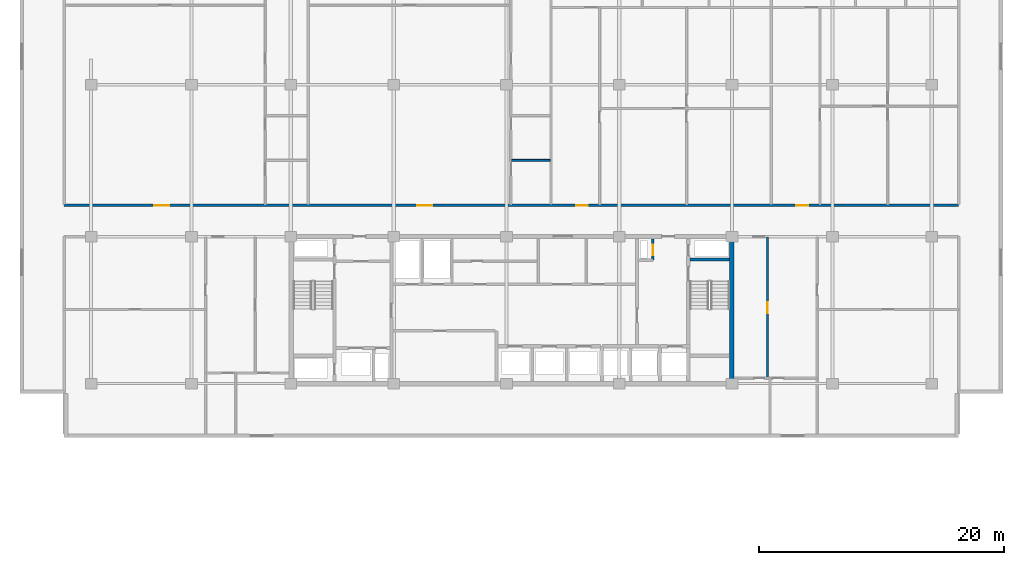
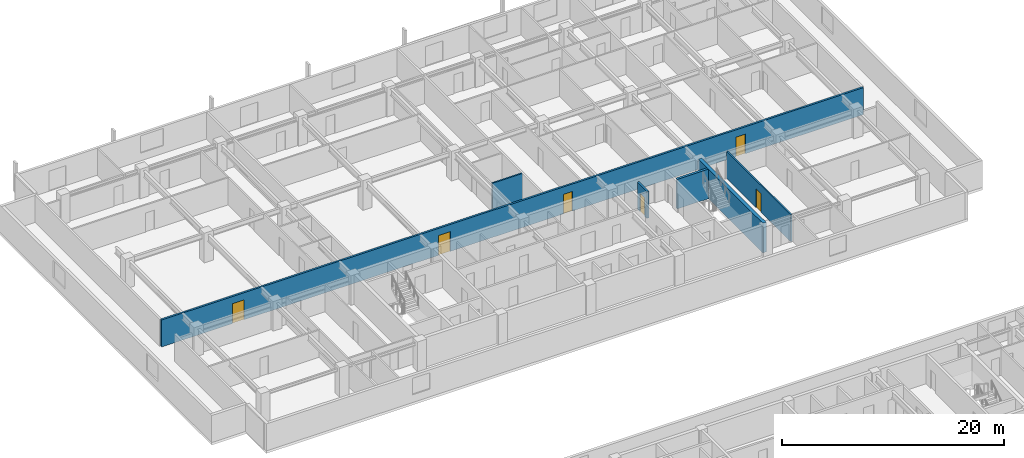
# One storey, part 12 of 21: 6 doors, 6 walls, 6 openings.
"""IFC4 building model written with IfcOpenShell, lengths in metres."""

from ifc_helpers import new_model, si_unit, direction, frame, frame_2d, origin, place, context, subcontext, project, spatial, rectangle, extrude, material, layer, layer_set, type_object, element, fill, save


model = new_model("IFC4")

# Units and contexts
model_context = context("Model", 3, precision=1e-05, world=origin(), true_north=direction((0.0, 1.0)))
body_context = subcontext(model_context, "Body", "Model", "MODEL_VIEW")
ifc_project = project(units=[si_unit("LENGTHUNIT", "METRE"), si_unit("AREAUNIT", "SQUARE_METRE"), si_unit("VOLUMEUNIT", "CUBIC_METRE"), si_unit("PLANEANGLEUNIT", "RADIAN"), si_unit("MASSUNIT", "GRAM", prefix="KILO")], contexts=[model_context])

# Site, building, storey
site_placement = place(None, origin())
site = spatial("IfcSite", under=ifc_project, at=site_placement, CompositionType="ELEMENT")
building_placement = place(site_placement, origin())
building = spatial("IfcBuilding", under=site, at=building_placement, Name="Korimba Cascade Residences", CompositionType="ELEMENT")
storey_placement = place(building_placement, frame((0.0, 0.0, 123.050048828125)))
storey = spatial("IfcBuildingStorey", under=building, at=storey_placement, Name="L35", CompositionType="ELEMENT", Elevation=123.050048828125)

# Wall
ifc_material_1 = material(Name="Concrete C65/80", Category="concrete")
ifc_layer_1 = layer(ifc_material_1, 0.35009765625)
ifc_layer_set_1 = layer_set([ifc_layer_1], Name="Concrete C65/80")
wall_type_1 = type_object("IfcWallType", Name="WAL-CORE-350", PredefinedType="SHEAR", material=ifc_layer_set_1)
wall_1_placement = place(storey_placement, frame((112.074951171875, 55.375, 0.0), z_axis=(0.0, 0.0, 1.0), x_axis=(0.0, 1.0, 0.0)))
element("IfcWall", 1, at=wall_1_placement, inside=storey, type_object=wall_type_1, Name="L35 Core Shear Wall CW-L35-T1-E", PredefinedType="SHEAR", context=body_context, shape_type="SweptSolid", body=[
    extrude(rectangle(XDim=11.64990234375, YDim=0.35009765625, at=frame_2d((5.824951171875, 0.0))), origin(), (0.0, 0.0, 1.0), 3.25),
])

# Wall, openings, doors
ifc_material_2 = material(Name="Precast concrete C40/50", Category="concrete")
ifc_layer_2 = layer(ifc_material_2, 0.199951171875)
ifc_layer_set_2 = layer_set([ifc_layer_2], Name="Precast concrete C40/50")
wall_type_2 = type_object("IfcWallType", Name="WAL-IT-200", PredefinedType="PARTITIONING", material=ifc_layer_set_2)
wall_2_placement = place(storey_placement, frame((57.60009765625, 69.75, 0.0), z_axis=(0.0, 0.0, 1.0), x_axis=(1.0, 0.0, 0.0)))
wall_2 = element("IfcWall", 2, at=wall_2_placement, inside=storey, type_object=wall_type_2, Name="L35 Partition Wall WAL-L35-T1-CORN", PredefinedType="PARTITIONING", context=body_context, shape_type="SweptSolid", body=[
    extrude(rectangle(XDim=73.0, YDim=0.199951171875, at=frame_2d((36.5, 0.0))), origin(), (0.0, 0.0, 1.0), 2.969970703125),
])
opening_1_placement = place(wall_2_placement, frame((7.36376953125, 0.0, 0.0)))
opening_1 = element("IfcOpeningElement", 3, at=opening_1_placement, cuts=wall_2, Name="Opening D-AM1", PredefinedType="OPENING", context=body_context, shape_type="SweptSolid", body=[
    extrude(rectangle(XDim=1.219970703125, YDim=2.179931640625, at=frame_2d((0.60986328125, 1.08984375))), frame((0.0, 0.10986328125, 0.0), z_axis=(0.0, -1.0, 0.0), x_axis=(1.0, 0.0, 0.0)), (0.0, 0.0, 1.0), 0.219970703125),
])
opening_2_placement = place(wall_2_placement, frame((28.81298828125, 0.0, 0.0)))
opening_2 = element("IfcOpeningElement", 4, at=opening_2_placement, cuts=wall_2, Name="Opening D-AM1", PredefinedType="OPENING", context=body_context, shape_type="SweptSolid", body=[
    extrude(rectangle(XDim=1.219970703125, YDim=2.179931640625, at=frame_2d((0.60986328125, 1.08984375))), frame((0.0, 0.10986328125, 0.0), z_axis=(0.0, -1.0, 0.0), x_axis=(1.0, 0.0, 0.0)), (0.0, 0.0, 1.0), 0.219970703125),
])
opening_3_placement = place(wall_2_placement, frame((41.776611328125, 0.0, 0.0)))
opening_3 = element("IfcOpeningElement", 5, at=opening_3_placement, cuts=wall_2, Name="Opening D-UN1", PredefinedType="OPENING", context=body_context, shape_type="SweptSolid", body=[
    extrude(rectangle(XDim=0.949951171875, YDim=2.14990234375, at=frame_2d((0.47509765625, 1.074951171875))), frame((0.0, 0.10986328125, 0.0), z_axis=(0.0, -1.0, 0.0), x_axis=(1.0, 0.0, 0.0)), (0.0, 0.0, 1.0), 0.219970703125),
])
opening_4_placement = place(wall_2_placement, frame((59.76611328125, 0.0, 0.0)))
opening_4 = element("IfcOpeningElement", 6, at=opening_4_placement, cuts=wall_2, Name="Opening D-UN1", PredefinedType="OPENING", context=body_context, shape_type="SweptSolid", body=[
    extrude(rectangle(XDim=0.949951171875, YDim=2.14990234375, at=frame_2d((0.47509765625, 1.074951171875))), frame((0.0, 0.10986328125, 0.0), z_axis=(0.0, -1.0, 0.0), x_axis=(1.0, 0.0, 0.0)), (0.0, 0.0, 1.0), 0.219970703125),
])
ifc_material_3 = material(Name="Fire-Rated Glazed Timber Suite Door", Category="wood")
door_type_1 = type_object("IfcDoorType", Name="DR-FD60-1200", OperationType="NOTDEFINED", PredefinedType="DOOR", material=ifc_material_3)
door_1_placement = place(opening_1_placement, origin())
door_1 = element("IfcDoor", 7, at=door_1_placement, inside=storey, type_object=door_type_1, Name="L35-T1-U01 Health Consultation Clinic Door", OperationType="SINGLE_SWING_LEFT", OverallHeight=2.179931640625, OverallWidth=1.219970703125, PredefinedType="DOOR", context=body_context, shape_type="SweptSolid", body=[
    extrude(rectangle(XDim=1.219970703125, YDim=2.179931640625, at=frame_2d((0.60986328125, 1.08984375))), frame((0.0, 0.02490234375, 0.0), z_axis=(0.0, -1.0, 0.0), x_axis=(1.0, 0.0, 0.0)), (0.0, 0.0, 1.0), 0.050048828125),
])
fill(opening_1, door_1)
door_2_placement = place(opening_2_placement, origin())
door_2 = element("IfcDoor", 8, at=door_2_placement, inside=storey, type_object=door_type_1, Name="L35-T1-U02 Health Consultation Clinic Door", OperationType="SINGLE_SWING_RIGHT", OverallHeight=2.179931640625, OverallWidth=1.219970703125, PredefinedType="DOOR", context=body_context, shape_type="SweptSolid", body=[
    extrude(rectangle(XDim=1.219970703125, YDim=2.179931640625, at=frame_2d((0.60986328125, 1.08984375))), frame((0.0, 0.02490234375, 0.0), z_axis=(0.0, -1.0, 0.0), x_axis=(1.0, 0.0, 0.0)), (0.0, 0.0, 1.0), 0.050048828125),
])
fill(opening_2, door_2)
ifc_material_4 = material(Name="Fire-Rated Hardwood Apartment Entrance Door", Category="wood")
door_type_2 = type_object("IfcDoorType", Name="DR-FD60-950", OperationType="NOTDEFINED", PredefinedType="DOOR", material=ifc_material_4)
door_3_placement = place(opening_3_placement, origin())
door_3 = element("IfcDoor", 9, at=door_3_placement, inside=storey, type_object=door_type_2, Name="Unit L35-T1-U03 Entrance Door", OperationType="SINGLE_SWING_LEFT", OverallHeight=2.14990234375, OverallWidth=0.949951171875, PredefinedType="DOOR", context=body_context, shape_type="SweptSolid", body=[
    extrude(rectangle(XDim=0.949951171875, YDim=2.14990234375, at=frame_2d((0.47509765625, 1.074951171875))), frame((0.0, 0.02490234375, 0.0), z_axis=(0.0, -1.0, 0.0), x_axis=(1.0, 0.0, 0.0)), (0.0, 0.0, 1.0), 0.050048828125),
])
fill(opening_3, door_3)
door_4_placement = place(opening_4_placement, origin())
door_4 = element("IfcDoor", 10, at=door_4_placement, inside=storey, type_object=door_type_2, Name="Unit L35-T1-U04 Entrance Door", OperationType="SINGLE_SWING_RIGHT", OverallHeight=2.14990234375, OverallWidth=0.949951171875, PredefinedType="DOOR", context=body_context, shape_type="SweptSolid", body=[
    extrude(rectangle(XDim=0.949951171875, YDim=2.14990234375, at=frame_2d((0.47509765625, 1.074951171875))), frame((0.0, 0.02490234375, 0.0), z_axis=(0.0, -1.0, 0.0), x_axis=(1.0, 0.0, 0.0)), (0.0, 0.0, 1.0), 0.050048828125),
])
fill(opening_4, door_4)

# Wall, opening, door
ifc_material_5 = material(Name="Insulated Acoustic Stud Partition", Category="gypsum")
ifc_layer_3 = layer(ifc_material_5, 0.14990234375)
ifc_layer_set_3 = layer_set([ifc_layer_3], Name="Insulated Acoustic Stud Partition")
wall_type_3 = type_object("IfcWallType", Name="WAL-PART-150", PredefinedType="PARTITIONING", material=ifc_layer_set_3)
wall_3_placement = place(storey_placement, frame((115.0, 55.64990234375, 0.0), z_axis=(0.0, 0.0, 1.0), x_axis=(0.0, 1.0, 0.0)))
wall_3 = element("IfcWall", 11, at=wall_3_placement, inside=storey, type_object=wall_type_3, Name="L35 Partition Wall WAL-L35-T1-FE-VN", PredefinedType="PARTITIONING", context=body_context, shape_type="SweptSolid", body=[
    extrude(rectangle(XDim=11.5, YDim=0.14990234375, at=frame_2d((5.75, 0.0))), origin(), (0.0, 0.0, 1.0), 2.969970703125),
])
opening_5_placement = place(wall_3_placement, frame((5.2900390625, 0.0, 0.0)))
opening_5 = element("IfcOpeningElement", 12, at=opening_5_placement, cuts=wall_3, Name="Opening D-IN1", PredefinedType="OPENING", context=body_context, shape_type="SweptSolid", body=[
    extrude(rectangle(XDim=0.919921875, YDim=2.080078125, at=frame_2d((0.4599609375, 1.0400390625))), frame((0.0, 0.0849609375, 0.0), z_axis=(0.0, -1.0, 0.0), x_axis=(1.0, 0.0, 0.0)), (0.0, 0.0, 1.0), 0.169921875),
])
ifc_material_6 = material(Name="Acoustic Timber Living Door", Category="wood")
door_type_3 = type_object("IfcDoorType", Name="DR-INT-920", OperationType="NOTDEFINED", PredefinedType="DOOR", material=ifc_material_6)
door_5_placement = place(opening_5_placement, origin())
door_5 = element("IfcDoor", 13, at=door_5_placement, inside=storey, type_object=door_type_3, Name="L35-T1-FE Living Door", OperationType="SINGLE_SWING_LEFT", OverallHeight=2.080078125, OverallWidth=0.919921875, PredefinedType="DOOR", context=body_context, shape_type="SweptSolid", body=[
    extrude(rectangle(XDim=0.919921875, YDim=2.080078125, at=frame_2d((0.4599609375, 1.0400390625))), frame((0.0, 0.02490234375, 0.0), z_axis=(0.0, -1.0, 0.0), x_axis=(1.0, 0.0, 0.0)), (0.0, 0.0, 1.0), 0.050048828125),
])
fill(opening_5, door_5)

# Wall
wall_4_placement = place(storey_placement, frame((94.12158203125, 73.419921875, 0.0), z_axis=(0.0, 0.0, 1.0), x_axis=(1.0, 0.0, 0.0)))
element("IfcWall", 14, at=wall_4_placement, inside=storey, type_object=wall_type_3, Name="L35 Partition Wall WAL-L35-T1-U02-WCH", PredefinedType="PARTITIONING", context=body_context, shape_type="SweptSolid", body=[
    extrude(rectangle(XDim=3.130126953125, YDim=0.14990234375, at=frame_2d((1.56494140625, 0.0))), origin(), (0.0, 0.0, 1.0), 2.969970703125),
])

# Wall, opening, door
ifc_material_7 = material(Name="Concrete C40/50", Category="concrete")
ifc_layer_4 = layer(ifc_material_7, 0.199951171875)
ifc_layer_set_4 = layer_set([ifc_layer_4], Name="Concrete C40/50")
wall_type_4 = type_object("IfcWallType", Name="WAL-PART-200", PredefinedType="PARTITIONING", material=ifc_layer_set_4)
wall_5_placement = place(storey_placement, frame((105.64990234375, 65.280029296875, 0.0), z_axis=(0.0, 0.0, 1.0), x_axis=(0.0, 1.0, 0.0)))
wall_5 = element("IfcWall", 15, at=wall_5_placement, inside=storey, type_object=wall_type_4, Name="L35 Partition Wall CW-L35-T1-HYDW2E", PredefinedType="PARTITIONING", context=body_context, shape_type="SweptSolid", body=[
    extrude(rectangle(XDim=1.719970703125, YDim=0.199951171875, at=frame_2d((0.85986328125, 0.0))), origin(), (0.0, 0.0, 1.0), 2.969970703125),
])
opening_6_placement = place(wall_5_placement, frame((0.39990234375, 0.0, 0.0)))
opening_6 = element("IfcOpeningElement", 16, at=opening_6_placement, cuts=wall_5, Name="Opening D-RS1", PredefinedType="OPENING", context=body_context, shape_type="SweptSolid", body=[
    extrude(rectangle(XDim=0.85009765625, YDim=2.050048828125, at=frame_2d((0.425048828125, 1.02490234375))), frame((0.0, 0.10986328125, 0.0), z_axis=(0.0, -1.0, 0.0), x_axis=(1.0, 0.0, 0.0)), (0.0, 0.0, 1.0), 0.219970703125),
])
ifc_material_8 = material(Name="Fire-Rated Steel Riser Access Door", Category="steel")
door_type_4 = type_object("IfcDoorType", Name="DR-FD60-850", OperationType="NOTDEFINED", PredefinedType="DOOR", material=ifc_material_8)
door_6_placement = place(opening_6_placement, origin())
door_6 = element("IfcDoor", 17, at=door_6_placement, inside=storey, type_object=door_type_4, Name="L35 East Hydrant Door", OperationType="SINGLE_SWING_LEFT", OverallHeight=2.050048828125, OverallWidth=0.85009765625, PredefinedType="DOOR", context=body_context, shape_type="SweptSolid", body=[
    extrude(rectangle(XDim=0.85009765625, YDim=2.050048828125, at=frame_2d((0.425048828125, 1.02490234375))), frame((0.0, 0.02490234375, 0.0), z_axis=(0.0, -1.0, 0.0), x_axis=(1.0, 0.0, 0.0)), (0.0, 0.0, 1.0), 0.050048828125),
])
fill(opening_6, door_6)

# Wall
ifc_material_9 = material(Name="Concrete C50/60", Category="concrete")
ifc_layer_5 = layer(ifc_material_9, 0.25)
ifc_layer_set_5 = layer_set([ifc_layer_5], Name="Concrete C50/60")
wall_type_5 = type_object("IfcWallType", Name="WAL-SHAFT-250", PredefinedType="SHEAR", material=ifc_layer_set_5)
wall_6_placement = place(storey_placement, frame((108.659912109375, 65.324951171875, 0.0), z_axis=(0.0, 0.0, 1.0), x_axis=(1.0, 0.0, 0.0)))
element("IfcWall", 18, at=wall_6_placement, inside=storey, type_object=wall_type_5, Name="L35 Core Shear Wall CW-L35-T1-STW2N", PredefinedType="SHEAR", context=body_context, shape_type="SweptSolid", body=[
    extrude(rectangle(XDim=3.239990234375, YDim=0.25, at=frame_2d((1.6201171875, 0.0))), origin(), (0.0, 0.0, 1.0), 3.25),
])

save(model, "model.ifc")
